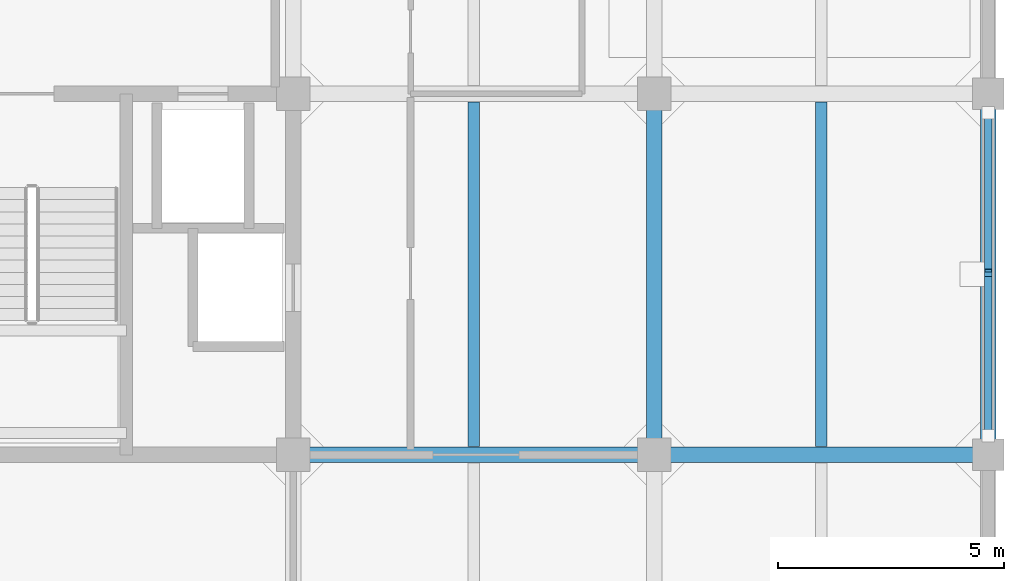
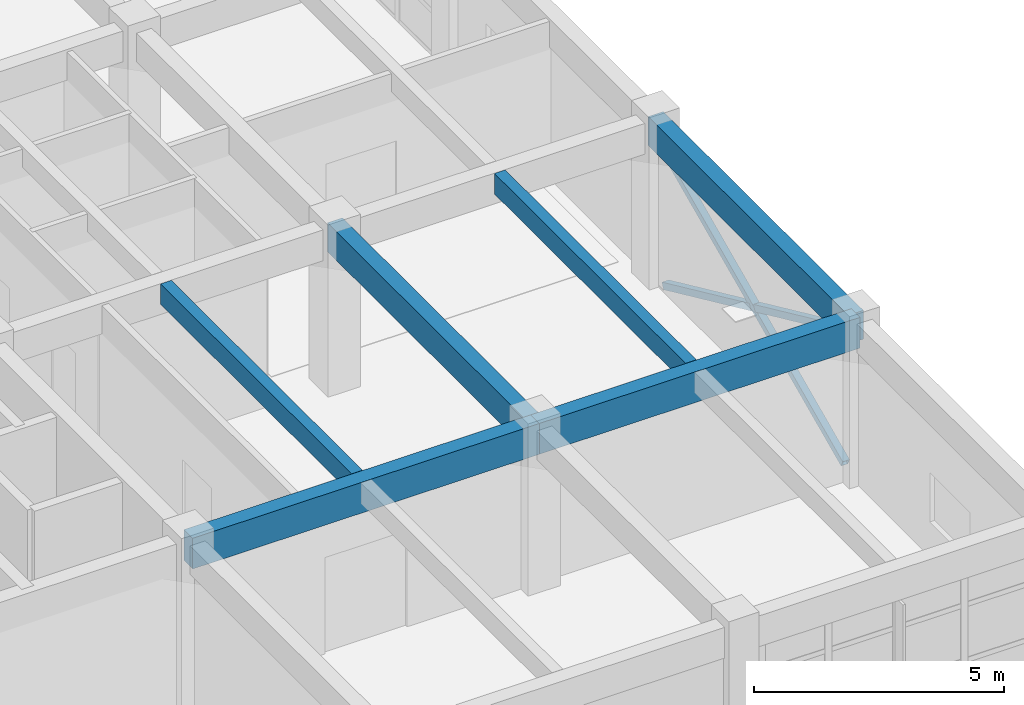
# One storey, part 6 of 19: 6 beams, 3 members.
"""IFC4 building model written with IfcOpenShell, lengths in metres."""

from ifc_helpers import new_model, si_unit, direction, frame, origin, origin_2d, place, context, subcontext, project, spatial, rectangle, hollow_rectangle, extrude, material, material_profile, profile_set, type_object, element, save


model = new_model("IFC4")

# Units and contexts
model_context = context("Model", 3, precision=1e-05, world=origin(), true_north=direction((0.0, 1.0)))
body_context = subcontext(model_context, "Body", "Model", "MODEL_VIEW")
ifc_project = project(units=[si_unit("LENGTHUNIT", "METRE"), si_unit("AREAUNIT", "SQUARE_METRE"), si_unit("VOLUMEUNIT", "CUBIC_METRE"), si_unit("PLANEANGLEUNIT", "RADIAN"), si_unit("MASSUNIT", "GRAM", prefix="KILO")], contexts=[model_context])

# Site, building, storey
site_placement = place(None, origin())
site = spatial("IfcSite", under=ifc_project, at=site_placement, CompositionType="ELEMENT")
building_placement = place(site_placement, origin())
building = spatial("IfcBuilding", under=site, at=building_placement, Name="Canggui Botanical Conservatory", CompositionType="ELEMENT")
storey_placement = place(building_placement, frame((0.0, 0.0, 44.39990234375)))
storey = spatial("IfcBuildingStorey", under=building, at=storey_placement, Name="L11", CompositionType="ELEMENT", Elevation=44.39990234375)

# Beams
ifc_material_1 = material(Name="Concrete C35", Category="concrete")
ifc_material_profile_1 = material_profile(ifc_material_1, rectangle(XDim=0.25, YDim=0.5, at=origin_2d()), Name="RB 250x500")
ifc_profile_set_1 = profile_set([ifc_material_profile_1], Name="Concrete C35")
beam_type_1 = type_object("IfcBeamType", Name="BM-JST04", PredefinedType="JOIST", material=ifc_profile_set_1)
for number, where, z_axis, x_axis, name in (
    (1, (166.0, 42.179931640625, 3.710205078125), (0.0, 1.0, 0.0), (-1.0, 0.0, 0.0), "Secondary Floor Joist L11-3-2"),
    (2, (173.699951171875, 42.179931640625, 3.710205078125), (0.0, 1.0, 0.0), (-1.0, 0.0, 0.0), "Secondary Floor Joist L11-4-2"),
):
    element("IfcBeam", number, at=place(storey_placement, frame(where, z_axis=z_axis, x_axis=x_axis)), inside=storey, type_object=beam_type_1, Name=name, PredefinedType="JOIST", context=body_context, shape_type="SweptSolid", body=[
        extrude(rectangle(XDim=0.25, YDim=0.5, at=origin_2d()), origin(), (0.0, 0.0, 1.0), 7.64013671875),
    ])
ifc_material_profile_2 = material_profile(ifc_material_1, rectangle(XDim=0.35009765625, YDim=0.75, at=origin_2d()), Name="RB 350x750")
ifc_profile_set_2 = profile_set([ifc_material_profile_2], Name="Concrete C35")
beam_type_2 = type_object("IfcBeamType", Name="BM-KL16", PredefinedType="BEAM", material=ifc_profile_set_2)
beam_1_placement = place(storey_placement, frame((162.0, 42.0, 3.585205078125), z_axis=(1.0, 0.0, 0.0), x_axis=(0.0, 1.0, 0.0)))
element("IfcBeam", 3, at=beam_1_placement, inside=storey, type_object=beam_type_2, Name="Frame Girder L11 Y42-3", PredefinedType="BEAM", context=body_context, shape_type="SweptSolid", body=[
    extrude(rectangle(XDim=0.35009765625, YDim=0.75, at=origin_2d()), origin(), (0.0, 0.0, 1.0), 8.0),
])
beam_2_placement = place(storey_placement, frame((170.0, 42.0, 3.585205078125), z_axis=(1.0, 0.0, 0.0), x_axis=(0.0, 1.0, 0.0)))
element("IfcBeam", 4, at=beam_2_placement, inside=storey, type_object=beam_type_2, Name="Frame Girder L11 Y42-4", PredefinedType="BEAM", context=body_context, shape_type="SweptSolid", body=[
    extrude(rectangle(XDim=0.35009765625, YDim=0.75, at=origin_2d()), origin(), (0.0, 0.0, 1.0), 7.39990234375),
])
ifc_material_profile_3 = material_profile(ifc_material_1, rectangle(XDim=0.35009765625, YDim=0.699951171875, at=origin_2d()), Name="RB 350x700")
ifc_profile_set_3 = profile_set([ifc_material_profile_3], Name="Concrete C35")
beam_type_3 = type_object("IfcBeamType", Name="BM-KL17", PredefinedType="BEAM", material=ifc_profile_set_3)
for number, where, z_axis, x_axis, name in (
    (5, (170.0, 42.0, 3.610107421875), (0.0, 1.0, 0.0), (-1.0, 0.0, 0.0), "Frame Girder L11 X170-2"),
    (6, (177.39990234375, 42.0, 3.610107421875), (0.0, 1.0, 0.0), (-1.0, 0.0, 0.0), "Frame Girder L11 X178-2"),
):
    element("IfcBeam", number, at=place(storey_placement, frame(where, z_axis=z_axis, x_axis=x_axis)), inside=storey, type_object=beam_type_3, Name=name, PredefinedType="BEAM", context=body_context, shape_type="SweptSolid", body=[
        extrude(rectangle(XDim=0.35009765625, YDim=0.699951171875, at=origin_2d()), origin(), (0.0, 0.0, 1.0), 8.0),
    ])

# Members
ifc_material_2 = material(Name="Steel Q355B", Category="steel")
ifc_material_profile_4 = material_profile(ifc_material_2, hollow_rectangle(XDim=0.159912109375, YDim=0.159912109375, WallThickness=0.008056640625, at=origin_2d()), Name="SHS 160x160x8")
ifc_profile_set_4 = profile_set([ifc_material_profile_4], Name="Steel Q355B")
member_type = type_object("IfcMemberType", Name="MEM-ZC04", PredefinedType="BRACE", material=ifc_profile_set_4)
member_placement = place(storey_placement, frame((177.39990234375, 42.419921875, 0.050048828125), z_axis=(0.0, 0.909146995561, 0.416475377979), x_axis=(-1.0, 0.0, 0.0)))
element("IfcMember", 7, at=member_placement, inside=storey, type_object=member_type, Name="Seismic Concentric X-Brace Continuous Diagonal L11-A", PredefinedType="BRACE", context=body_context, shape_type="SweptSolid", body=[
    extrude(hollow_rectangle(XDim=0.159912109375, YDim=0.159912109375, WallThickness=0.008056640625, at=origin_2d()), origin(), (0.0, 0.0, 1.0), 7.875732421875),
])
for number, where, z_axis, x_axis, name in (
    (8, (177.39990234375, 49.580078125, 0.050048828125), (0.0, -0.909147915456, 0.416473369883), (1.0, 0.0, 0.0), "Seismic Concentric X-Brace Lower Split Diagonal L11-B1"),
    (9, (177.39990234375, 45.918212890625, 1.7275390625), (0.0, -0.909147915456, 0.416473369883), (1.0, 0.0, 0.0), "Seismic Concentric X-Brace Upper Split Diagonal L11-B2"),
):
    element("IfcMember", number, at=place(storey_placement, frame(where, z_axis=z_axis, x_axis=x_axis)), inside=storey, type_object=member_type, Name=name, PredefinedType="BRACE", context=body_context, shape_type="SweptSolid", body=[
        extrude(hollow_rectangle(XDim=0.159912109375, YDim=0.159912109375, WallThickness=0.008056640625, at=origin_2d()), origin(), (0.0, 0.0, 1.0), 3.847900390625),
    ])

save(model, "model.ifc")
